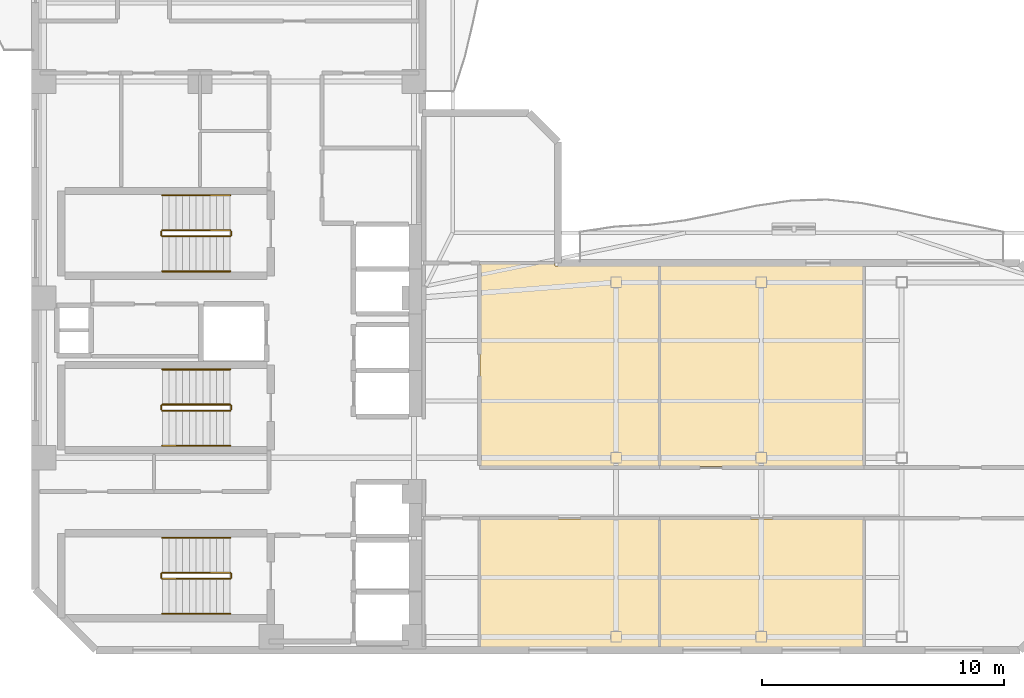
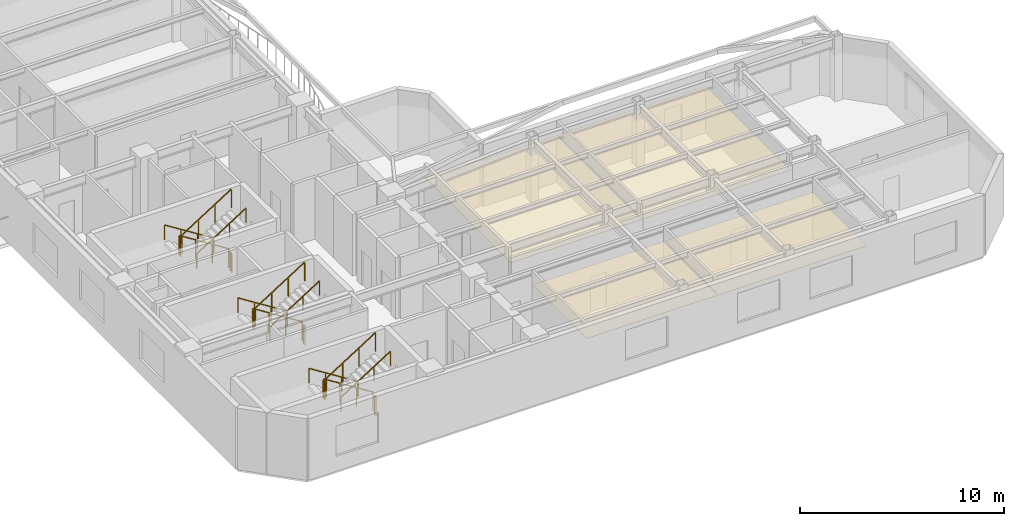
# One storey, part 7 of 9: 18 railings, 4 coverings.
"""IFC4 building model written with IfcOpenShell, lengths in metres."""

from ifc_helpers import new_model, si_unit, direction, frame, origin, origin_2d, place, context, subcontext, project, spatial, polyline, rectangle, outline, extrude, material, layer, layer_set, type_object, element, save


model = new_model("IFC4")

# Units and contexts
model_context = context("Model", 3, precision=1e-05, world=origin(), true_north=direction((0.0, 1.0)))
body_context = subcontext(model_context, "Body", "Model", "MODEL_VIEW")
ifc_project = project(units=[si_unit("LENGTHUNIT", "METRE"), si_unit("AREAUNIT", "SQUARE_METRE"), si_unit("VOLUMEUNIT", "CUBIC_METRE"), si_unit("PLANEANGLEUNIT", "RADIAN"), si_unit("MASSUNIT", "GRAM", prefix="KILO")], contexts=[model_context])

# Site, building, storey
site_placement = place(None, origin())
site = spatial("IfcSite", under=ifc_project, at=site_placement, CompositionType="ELEMENT")
building_placement = place(site_placement, origin())
building = spatial("IfcBuilding", under=site, at=building_placement, Name="Mawjaban Terraces University", CompositionType="ELEMENT")
storey_placement = place(building_placement, frame((0.0, 0.0, 226.5)))
storey = spatial("IfcBuildingStorey", under=building, at=storey_placement, Name="L55", CompositionType="ELEMENT", Elevation=226.5)

# Coverings
ifc_material_1 = material(Name="Acoustic mineral fibre ceiling tile", Category="masonry")
ifc_layer = layer(ifc_material_1, 0.02001953125)
ifc_layer_set = layer_set([ifc_layer], Name="Acoustic mineral fibre ceiling tile")
covering_type = type_object("IfcCoveringType", Name="AcousticMineralCeiling_20", PredefinedType="CEILING", material=ifc_layer_set)
covering_1_placement = place(storey_placement, frame((0.0, 0.0, 2.75)))
element("IfcCovering", 1, at=covering_1_placement, inside=storey, type_object=covering_type, Name="L55 Academic Counseling Room 2 Acoustic Ceiling", PredefinedType="CEILING", context=body_context, shape_type="SweptSolid", body=[
    extrude(outline(polyline([(40.3798828125, 0.114990234375), (47.77490234375, 0.114990234375), (47.77490234375, 5.419921875), (40.3798828125, 5.419921875), (40.3798828125, 0.114990234375)])), origin(), (0.0, 0.0, 1.0), 0.02001953125),
])
covering_2_placement = place(storey_placement, frame((0.0, 0.0, 2.75)))
element("IfcCovering", 2, at=covering_2_placement, inside=storey, type_object=covering_type, Name="L55 Academic Counseling Room 3 Acoustic Ceiling", PredefinedType="CEILING", context=body_context, shape_type="SweptSolid", body=[
    extrude(outline(polyline([(47.77490234375, 15.885009765625), (43.485107421875, 15.885009765625), (43.485107421875, 15.969970703125), (40.3798828125, 15.969970703125), (40.3798828125, 7.580078125), (47.77490234375, 7.580078125), (47.77490234375, 15.885009765625)])), origin(), (0.0, 0.0, 1.0), 0.02001953125),
])
covering_3_placement = place(storey_placement, frame((0.0, 0.0, 2.75)))
element("IfcCovering", 3, at=covering_3_placement, inside=storey, type_object=covering_type, Name="L55 Academic Counseling Room 4 Acoustic Ceiling", PredefinedType="CEILING", context=body_context, shape_type="SweptSolid", body=[
    extrude(outline(polyline([(47.8349609375, 0.114990234375), (56.22412109375, 0.114990234375), (56.22412109375, 5.419921875), (47.8349609375, 5.419921875), (47.8349609375, 0.114990234375)])), origin(), (0.0, 0.0, 1.0), 0.02001953125),
])
covering_4_placement = place(storey_placement, frame((0.0, 0.0, 2.75)))
element("IfcCovering", 4, at=covering_4_placement, inside=storey, type_object=covering_type, Name="L55 Faculty Office 5 Acoustic Ceiling", PredefinedType="CEILING", context=body_context, shape_type="SweptSolid", body=[
    extrude(outline(polyline([(56.22412109375, 15.885009765625), (47.8349609375, 15.885009765625), (47.8349609375, 7.580078125), (56.22412109375, 7.580078125), (56.22412109375, 15.885009765625)])), origin(), (0.0, 0.0, 1.0), 0.02001953125),
])

# Railings
ifc_material_2 = material(Name="Brushed stainless steel 316", Category="steel")
railing_type_1 = type_object("IfcRailingType", Name="StairWallHandrail_900", PredefinedType="HANDRAIL", material=ifc_material_2)
railing_1_placement = place(storey_placement, frame((30.050048828125, 4.64990234375, 0.17724609375)))
element("IfcRailing", 5, at=railing_1_placement, inside=storey, type_object=railing_type_1, Name="L55 ST-1 stair handrail 1", PredefinedType="HANDRAIL", context=body_context, shape_type="SweptSolid", body=[
    extrude(rectangle(XDim=0.048095703125, YDim=0.048095703125, at=origin_2d()), frame((0.0, 0.0, 0.8759765625), z_axis=(-0.844908973607, 0.0, 0.534910110503), x_axis=(0.0, -1.0, 0.0)), (0.0, 0.0, 1.0), 3.31396484375),
    extrude(rectangle(XDim=0.0419921875, YDim=0.0419921875, at=origin_2d()), origin(), (0.0, 0.0, 1.0), 0.851806640625),
    extrude(rectangle(XDim=0.0419921875, YDim=0.0419921875, at=origin_2d()), frame((-0.933349609375, 0.0, 0.5908203125)), (0.0, 0.0, 1.0), 0.851806640625),
    extrude(rectangle(XDim=0.0419921875, YDim=0.0419921875, at=origin_2d()), frame((-1.86669921875, 0.0, 1.181884765625)), (0.0, 0.0, 1.0), 0.851806640625),
    extrude(rectangle(XDim=0.0419921875, YDim=0.0419921875, at=origin_2d()), frame((-2.800048828125, 0.0, 1.772705078125)), (0.0, 0.0, 1.0), 0.851806640625),
])
railing_2_placement = place(storey_placement, frame((27.25, 1.5, 2.127197265625)))
element("IfcRailing", 6, at=railing_2_placement, inside=storey, type_object=railing_type_1, Name="L55 ST-1 stair handrail 2", PredefinedType="HANDRAIL", context=body_context, shape_type="SweptSolid", body=[
    extrude(rectangle(XDim=0.048095703125, YDim=0.048095703125, at=origin_2d()), frame((0.0, 0.0, 0.8759765625), z_axis=(0.844908973607, 0.0, 0.534910110503), x_axis=(0.0, 1.0, 0.0)), (0.0, 0.0, 1.0), 3.31396484375),
    extrude(rectangle(XDim=0.0419921875, YDim=0.0419921875, at=origin_2d()), origin(), (0.0, 0.0, 1.0), 0.851806640625),
    extrude(rectangle(XDim=0.0419921875, YDim=0.0419921875, at=origin_2d()), frame((0.933349609375, 0.0, 0.5908203125)), (0.0, 0.0, 1.0), 0.851806640625),
    extrude(rectangle(XDim=0.0419921875, YDim=0.0419921875, at=origin_2d()), frame((1.86669921875, 0.0, 1.181884765625)), (0.0, 0.0, 1.0), 0.851806640625),
    extrude(rectangle(XDim=0.0419921875, YDim=0.0419921875, at=origin_2d()), frame((2.800048828125, 0.0, 1.772705078125)), (0.0, 0.0, 1.0), 0.851806640625),
])
railing_3_placement = place(storey_placement, frame((30.050048828125, 18.800048828125, 0.17724609375)))
element("IfcRailing", 7, at=railing_3_placement, inside=storey, type_object=railing_type_1, Name="L55 ST-2 stair handrail 1", PredefinedType="HANDRAIL", context=body_context, shape_type="SweptSolid", body=[
    extrude(rectangle(XDim=0.048095703125, YDim=0.048095703125, at=origin_2d()), frame((0.0, 0.0, 0.8759765625), z_axis=(-0.844908973607, 0.0, 0.534910110503), x_axis=(0.0, -1.0, 0.0)), (0.0, 0.0, 1.0), 3.31396484375),
    extrude(rectangle(XDim=0.0419921875, YDim=0.0419921875, at=origin_2d()), origin(), (0.0, 0.0, 1.0), 0.851806640625),
    extrude(rectangle(XDim=0.0419921875, YDim=0.0419921875, at=origin_2d()), frame((-0.933349609375, 0.0, 0.5908203125)), (0.0, 0.0, 1.0), 0.851806640625),
    extrude(rectangle(XDim=0.0419921875, YDim=0.0419921875, at=origin_2d()), frame((-1.86669921875, 0.0, 1.181884765625)), (0.0, 0.0, 1.0), 0.851806640625),
    extrude(rectangle(XDim=0.0419921875, YDim=0.0419921875, at=origin_2d()), frame((-2.800048828125, 0.0, 1.772705078125)), (0.0, 0.0, 1.0), 0.851806640625),
])
railing_4_placement = place(storey_placement, frame((27.25, 15.64990234375, 2.127197265625)))
element("IfcRailing", 8, at=railing_4_placement, inside=storey, type_object=railing_type_1, Name="L55 ST-2 stair handrail 2", PredefinedType="HANDRAIL", context=body_context, shape_type="SweptSolid", body=[
    extrude(rectangle(XDim=0.048095703125, YDim=0.048095703125, at=origin_2d()), frame((0.0, 0.0, 0.8759765625), z_axis=(0.844908973607, 0.0, 0.534910110503), x_axis=(0.0, 1.0, 0.0)), (0.0, 0.0, 1.0), 3.31396484375),
    extrude(rectangle(XDim=0.0419921875, YDim=0.0419921875, at=origin_2d()), origin(), (0.0, 0.0, 1.0), 0.851806640625),
    extrude(rectangle(XDim=0.0419921875, YDim=0.0419921875, at=origin_2d()), frame((0.933349609375, 0.0, 0.5908203125)), (0.0, 0.0, 1.0), 0.851806640625),
    extrude(rectangle(XDim=0.0419921875, YDim=0.0419921875, at=origin_2d()), frame((1.86669921875, 0.0, 1.181884765625)), (0.0, 0.0, 1.0), 0.851806640625),
    extrude(rectangle(XDim=0.0419921875, YDim=0.0419921875, at=origin_2d()), frame((2.800048828125, 0.0, 1.772705078125)), (0.0, 0.0, 1.0), 0.851806640625),
])
railing_5_placement = place(storey_placement, frame((30.050048828125, 11.60009765625, 0.17724609375)))
element("IfcRailing", 9, at=railing_5_placement, inside=storey, type_object=railing_type_1, Name="L55 ST-3 stair handrail 1", PredefinedType="HANDRAIL", context=body_context, shape_type="SweptSolid", body=[
    extrude(rectangle(XDim=0.048095703125, YDim=0.048095703125, at=origin_2d()), frame((0.0, 0.0, 0.8759765625), z_axis=(-0.844908973607, 0.0, 0.534910110503), x_axis=(0.0, -1.0, 0.0)), (0.0, 0.0, 1.0), 3.31396484375),
    extrude(rectangle(XDim=0.0419921875, YDim=0.0419921875, at=origin_2d()), origin(), (0.0, 0.0, 1.0), 0.851806640625),
    extrude(rectangle(XDim=0.0419921875, YDim=0.0419921875, at=origin_2d()), frame((-0.933349609375, 0.0, 0.5908203125)), (0.0, 0.0, 1.0), 0.851806640625),
    extrude(rectangle(XDim=0.0419921875, YDim=0.0419921875, at=origin_2d()), frame((-1.86669921875, 0.0, 1.181884765625)), (0.0, 0.0, 1.0), 0.851806640625),
    extrude(rectangle(XDim=0.0419921875, YDim=0.0419921875, at=origin_2d()), frame((-2.800048828125, 0.0, 1.772705078125)), (0.0, 0.0, 1.0), 0.851806640625),
])
railing_6_placement = place(storey_placement, frame((27.25, 8.449951171875, 2.127197265625)))
element("IfcRailing", 10, at=railing_6_placement, inside=storey, type_object=railing_type_1, Name="L55 ST-3 stair handrail 2", PredefinedType="HANDRAIL", context=body_context, shape_type="SweptSolid", body=[
    extrude(rectangle(XDim=0.048095703125, YDim=0.048095703125, at=origin_2d()), frame((0.0, 0.0, 0.8759765625), z_axis=(0.844908973607, 0.0, 0.534910110503), x_axis=(0.0, 1.0, 0.0)), (0.0, 0.0, 1.0), 3.31396484375),
    extrude(rectangle(XDim=0.0419921875, YDim=0.0419921875, at=origin_2d()), origin(), (0.0, 0.0, 1.0), 0.851806640625),
    extrude(rectangle(XDim=0.0419921875, YDim=0.0419921875, at=origin_2d()), frame((0.933349609375, 0.0, 0.5908203125)), (0.0, 0.0, 1.0), 0.851806640625),
    extrude(rectangle(XDim=0.0419921875, YDim=0.0419921875, at=origin_2d()), frame((1.86669921875, 0.0, 1.181884765625)), (0.0, 0.0, 1.0), 0.851806640625),
    extrude(rectangle(XDim=0.0419921875, YDim=0.0419921875, at=origin_2d()), frame((2.800048828125, 0.0, 1.772705078125)), (0.0, 0.0, 1.0), 0.851806640625),
])
ifc_material_3 = material(Name="Galvanised painted steel S355", Category="steel")
railing_type_2 = type_object("IfcRailingType", Name="StairWellGuard_1150", PredefinedType="BALUSTRADE", material=ifc_material_3)
railing_7_placement = place(storey_placement, frame((30.050048828125, 3.199951171875, 0.17724609375)))
element("IfcRailing", 11, at=railing_7_placement, inside=storey, type_object=railing_type_2, Name="L55 ST-1 stair guard 1", PredefinedType="BALUSTRADE", context=body_context, shape_type="SweptSolid", body=[
    extrude(rectangle(XDim=0.048095703125, YDim=0.048095703125, at=origin_2d()), frame((0.0, 0.0, 1.1259765625), z_axis=(-0.844908973607, 0.0, 0.534910110503), x_axis=(0.0, -1.0, 0.0)), (0.0, 0.0, 1.0), 3.31396484375),
    extrude(rectangle(XDim=0.0419921875, YDim=0.0419921875, at=origin_2d()), origin(), (0.0, 0.0, 1.0), 1.101806640625),
    extrude(rectangle(XDim=0.0419921875, YDim=0.0419921875, at=origin_2d()), frame((-0.933349609375, 0.0, 0.5908203125)), (0.0, 0.0, 1.0), 1.101806640625),
    extrude(rectangle(XDim=0.0419921875, YDim=0.0419921875, at=origin_2d()), frame((-1.86669921875, 0.0, 1.181884765625)), (0.0, 0.0, 1.0), 1.101806640625),
    extrude(rectangle(XDim=0.0419921875, YDim=0.0419921875, at=origin_2d()), frame((-2.800048828125, 0.0, 1.772705078125)), (0.0, 0.0, 1.0), 1.101806640625),
])
railing_8_placement = place(storey_placement, frame((27.199951171875, 3.14990234375, 1.949951171875)))
element("IfcRailing", 12, at=railing_8_placement, inside=storey, type_object=railing_type_2, Name="L55 ST-1 stair guard 2", PredefinedType="BALUSTRADE", context=body_context, shape_type="SweptSolid", body=[
    extrude(rectangle(XDim=0.048095703125, YDim=0.048095703125, at=origin_2d()), frame((0.0, 0.0, 1.1259765625), z_axis=(0.0, -1.0, 0.0), x_axis=(1.0, 0.0, 0.0)), (0.0, 0.0, 1.0), 0.14990234375),
    extrude(rectangle(XDim=0.0419921875, YDim=0.0419921875, at=origin_2d()), origin(), (0.0, 0.0, 1.0), 1.101806640625),
    extrude(rectangle(XDim=0.0419921875, YDim=0.0419921875, at=origin_2d()), frame((0.0, -0.14990234375, 0.0)), (0.0, 0.0, 1.0), 1.101806640625),
])
railing_9_placement = place(storey_placement, frame((27.25, 2.949951171875, 2.127197265625)))
element("IfcRailing", 13, at=railing_9_placement, inside=storey, type_object=railing_type_2, Name="L55 ST-1 stair guard 3", PredefinedType="BALUSTRADE", context=body_context, shape_type="SweptSolid", body=[
    extrude(rectangle(XDim=0.048095703125, YDim=0.048095703125, at=origin_2d()), frame((0.0, 0.0, 1.1259765625), z_axis=(0.844908973607, 0.0, 0.534910110503), x_axis=(0.0, 1.0, 0.0)), (0.0, 0.0, 1.0), 3.31396484375),
    extrude(rectangle(XDim=0.0419921875, YDim=0.0419921875, at=origin_2d()), origin(), (0.0, 0.0, 1.0), 1.101806640625),
    extrude(rectangle(XDim=0.0419921875, YDim=0.0419921875, at=origin_2d()), frame((0.933349609375, 0.0, 0.5908203125)), (0.0, 0.0, 1.0), 1.101806640625),
    extrude(rectangle(XDim=0.0419921875, YDim=0.0419921875, at=origin_2d()), frame((1.86669921875, 0.0, 1.181884765625)), (0.0, 0.0, 1.0), 1.101806640625),
    extrude(rectangle(XDim=0.0419921875, YDim=0.0419921875, at=origin_2d()), frame((2.800048828125, 0.0, 1.772705078125)), (0.0, 0.0, 1.0), 1.101806640625),
])
railing_10_placement = place(storey_placement, frame((30.10009765625, 3.14990234375, 0.0)))
element("IfcRailing", 14, at=railing_10_placement, inside=storey, type_object=railing_type_2, Name="L55 ST-1 stair guard 4", PredefinedType="BALUSTRADE", context=body_context, shape_type="SweptSolid", body=[
    extrude(rectangle(XDim=0.048095703125, YDim=0.048095703125, at=origin_2d()), frame((0.0, 0.0, 1.1259765625), z_axis=(0.0, -1.0, 0.0), x_axis=(1.0, 0.0, 0.0)), (0.0, 0.0, 1.0), 0.14990234375),
    extrude(rectangle(XDim=0.0419921875, YDim=0.0419921875, at=origin_2d()), origin(), (0.0, 0.0, 1.0), 1.101806640625),
    extrude(rectangle(XDim=0.0419921875, YDim=0.0419921875, at=origin_2d()), frame((0.0, -0.14990234375, 0.0)), (0.0, 0.0, 1.0), 1.101806640625),
])
railing_11_placement = place(storey_placement, frame((30.050048828125, 17.35009765625, 0.17724609375)))
element("IfcRailing", 15, at=railing_11_placement, inside=storey, type_object=railing_type_2, Name="L55 ST-2 stair guard 1", PredefinedType="BALUSTRADE", context=body_context, shape_type="SweptSolid", body=[
    extrude(rectangle(XDim=0.048095703125, YDim=0.048095703125, at=origin_2d()), frame((0.0, 0.0, 1.1259765625), z_axis=(-0.844908973607, 0.0, 0.534910110503), x_axis=(0.0, -1.0, 0.0)), (0.0, 0.0, 1.0), 3.31396484375),
    extrude(rectangle(XDim=0.0419921875, YDim=0.0419921875, at=origin_2d()), origin(), (0.0, 0.0, 1.0), 1.101806640625),
    extrude(rectangle(XDim=0.0419921875, YDim=0.0419921875, at=origin_2d()), frame((-0.933349609375, 0.0, 0.5908203125)), (0.0, 0.0, 1.0), 1.101806640625),
    extrude(rectangle(XDim=0.0419921875, YDim=0.0419921875, at=origin_2d()), frame((-1.86669921875, 0.0, 1.181884765625)), (0.0, 0.0, 1.0), 1.101806640625),
    extrude(rectangle(XDim=0.0419921875, YDim=0.0419921875, at=origin_2d()), frame((-2.800048828125, 0.0, 1.772705078125)), (0.0, 0.0, 1.0), 1.101806640625),
])
railing_12_placement = place(storey_placement, frame((27.199951171875, 17.300048828125, 1.949951171875)))
element("IfcRailing", 16, at=railing_12_placement, inside=storey, type_object=railing_type_2, Name="L55 ST-2 stair guard 2", PredefinedType="BALUSTRADE", context=body_context, shape_type="SweptSolid", body=[
    extrude(rectangle(XDim=0.048095703125, YDim=0.048095703125, at=origin_2d()), frame((0.0, 0.0, 1.1259765625), z_axis=(0.0, -1.0, 0.0), x_axis=(1.0, 0.0, 0.0)), (0.0, 0.0, 1.0), 0.150146484375),
    extrude(rectangle(XDim=0.0419921875, YDim=0.0419921875, at=origin_2d()), origin(), (0.0, 0.0, 1.0), 1.101806640625),
    extrude(rectangle(XDim=0.0419921875, YDim=0.0419921875, at=origin_2d()), frame((0.0, -0.150146484375, 0.0)), (0.0, 0.0, 1.0), 1.101806640625),
])
railing_13_placement = place(storey_placement, frame((27.25, 17.10009765625, 2.127197265625)))
element("IfcRailing", 17, at=railing_13_placement, inside=storey, type_object=railing_type_2, Name="L55 ST-2 stair guard 3", PredefinedType="BALUSTRADE", context=body_context, shape_type="SweptSolid", body=[
    extrude(rectangle(XDim=0.048095703125, YDim=0.048095703125, at=origin_2d()), frame((0.0, 0.0, 1.1259765625), z_axis=(0.844908973607, 0.0, 0.534910110503), x_axis=(0.0, 1.0, 0.0)), (0.0, 0.0, 1.0), 3.31396484375),
    extrude(rectangle(XDim=0.0419921875, YDim=0.0419921875, at=origin_2d()), origin(), (0.0, 0.0, 1.0), 1.101806640625),
    extrude(rectangle(XDim=0.0419921875, YDim=0.0419921875, at=origin_2d()), frame((0.933349609375, 0.0, 0.5908203125)), (0.0, 0.0, 1.0), 1.101806640625),
    extrude(rectangle(XDim=0.0419921875, YDim=0.0419921875, at=origin_2d()), frame((1.86669921875, 0.0, 1.181884765625)), (0.0, 0.0, 1.0), 1.101806640625),
    extrude(rectangle(XDim=0.0419921875, YDim=0.0419921875, at=origin_2d()), frame((2.800048828125, 0.0, 1.772705078125)), (0.0, 0.0, 1.0), 1.101806640625),
])
railing_14_placement = place(storey_placement, frame((30.10009765625, 17.300048828125, 0.0)))
element("IfcRailing", 18, at=railing_14_placement, inside=storey, type_object=railing_type_2, Name="L55 ST-2 stair guard 4", PredefinedType="BALUSTRADE", context=body_context, shape_type="SweptSolid", body=[
    extrude(rectangle(XDim=0.048095703125, YDim=0.048095703125, at=origin_2d()), frame((0.0, 0.0, 1.1259765625), z_axis=(0.0, -1.0, 0.0), x_axis=(1.0, 0.0, 0.0)), (0.0, 0.0, 1.0), 0.150146484375),
    extrude(rectangle(XDim=0.0419921875, YDim=0.0419921875, at=origin_2d()), origin(), (0.0, 0.0, 1.0), 1.101806640625),
    extrude(rectangle(XDim=0.0419921875, YDim=0.0419921875, at=origin_2d()), frame((0.0, -0.150146484375, 0.0)), (0.0, 0.0, 1.0), 1.101806640625),
])
railing_15_placement = place(storey_placement, frame((30.050048828125, 10.14990234375, 0.17724609375)))
element("IfcRailing", 19, at=railing_15_placement, inside=storey, type_object=railing_type_2, Name="L55 ST-3 stair guard 1", PredefinedType="BALUSTRADE", context=body_context, shape_type="SweptSolid", body=[
    extrude(rectangle(XDim=0.048095703125, YDim=0.048095703125, at=origin_2d()), frame((0.0, 0.0, 1.1259765625), z_axis=(-0.844908973607, 0.0, 0.534910110503), x_axis=(0.0, -1.0, 0.0)), (0.0, 0.0, 1.0), 3.31396484375),
    extrude(rectangle(XDim=0.0419921875, YDim=0.0419921875, at=origin_2d()), origin(), (0.0, 0.0, 1.0), 1.101806640625),
    extrude(rectangle(XDim=0.0419921875, YDim=0.0419921875, at=origin_2d()), frame((-0.933349609375, 0.0, 0.5908203125)), (0.0, 0.0, 1.0), 1.101806640625),
    extrude(rectangle(XDim=0.0419921875, YDim=0.0419921875, at=origin_2d()), frame((-1.86669921875, 0.0, 1.181884765625)), (0.0, 0.0, 1.0), 1.101806640625),
    extrude(rectangle(XDim=0.0419921875, YDim=0.0419921875, at=origin_2d()), frame((-2.800048828125, 0.0, 1.772705078125)), (0.0, 0.0, 1.0), 1.101806640625),
])
railing_16_placement = place(storey_placement, frame((27.199951171875, 10.10009765625, 1.949951171875)))
element("IfcRailing", 20, at=railing_16_placement, inside=storey, type_object=railing_type_2, Name="L55 ST-3 stair guard 2", PredefinedType="BALUSTRADE", context=body_context, shape_type="SweptSolid", body=[
    extrude(rectangle(XDim=0.048095703125, YDim=0.048095703125, at=origin_2d()), frame((0.0, 0.0, 1.1259765625), z_axis=(0.0, -1.0, 0.0), x_axis=(1.0, 0.0, 0.0)), (0.0, 0.0, 1.0), 0.150146484375),
    extrude(rectangle(XDim=0.0419921875, YDim=0.0419921875, at=origin_2d()), origin(), (0.0, 0.0, 1.0), 1.101806640625),
    extrude(rectangle(XDim=0.0419921875, YDim=0.0419921875, at=origin_2d()), frame((0.0, -0.150146484375, 0.0)), (0.0, 0.0, 1.0), 1.101806640625),
])
railing_17_placement = place(storey_placement, frame((27.25, 9.89990234375, 2.127197265625)))
element("IfcRailing", 21, at=railing_17_placement, inside=storey, type_object=railing_type_2, Name="L55 ST-3 stair guard 3", PredefinedType="BALUSTRADE", context=body_context, shape_type="SweptSolid", body=[
    extrude(rectangle(XDim=0.048095703125, YDim=0.048095703125, at=origin_2d()), frame((0.0, 0.0, 1.1259765625), z_axis=(0.844908973607, 0.0, 0.534910110503), x_axis=(0.0, 1.0, 0.0)), (0.0, 0.0, 1.0), 3.31396484375),
    extrude(rectangle(XDim=0.0419921875, YDim=0.0419921875, at=origin_2d()), origin(), (0.0, 0.0, 1.0), 1.101806640625),
    extrude(rectangle(XDim=0.0419921875, YDim=0.0419921875, at=origin_2d()), frame((0.933349609375, 0.0, 0.5908203125)), (0.0, 0.0, 1.0), 1.101806640625),
    extrude(rectangle(XDim=0.0419921875, YDim=0.0419921875, at=origin_2d()), frame((1.86669921875, 0.0, 1.181884765625)), (0.0, 0.0, 1.0), 1.101806640625),
    extrude(rectangle(XDim=0.0419921875, YDim=0.0419921875, at=origin_2d()), frame((2.800048828125, 0.0, 1.772705078125)), (0.0, 0.0, 1.0), 1.101806640625),
])
railing_18_placement = place(storey_placement, frame((30.10009765625, 10.10009765625, 0.0)))
element("IfcRailing", 22, at=railing_18_placement, inside=storey, type_object=railing_type_2, Name="L55 ST-3 stair guard 4", PredefinedType="BALUSTRADE", context=body_context, shape_type="SweptSolid", body=[
    extrude(rectangle(XDim=0.048095703125, YDim=0.048095703125, at=origin_2d()), frame((0.0, 0.0, 1.1259765625), z_axis=(0.0, -1.0, 0.0), x_axis=(1.0, 0.0, 0.0)), (0.0, 0.0, 1.0), 0.150146484375),
    extrude(rectangle(XDim=0.0419921875, YDim=0.0419921875, at=origin_2d()), origin(), (0.0, 0.0, 1.0), 1.101806640625),
    extrude(rectangle(XDim=0.0419921875, YDim=0.0419921875, at=origin_2d()), frame((0.0, -0.150146484375, 0.0)), (0.0, 0.0, 1.0), 1.101806640625),
])

save(model, "model.ifc")
